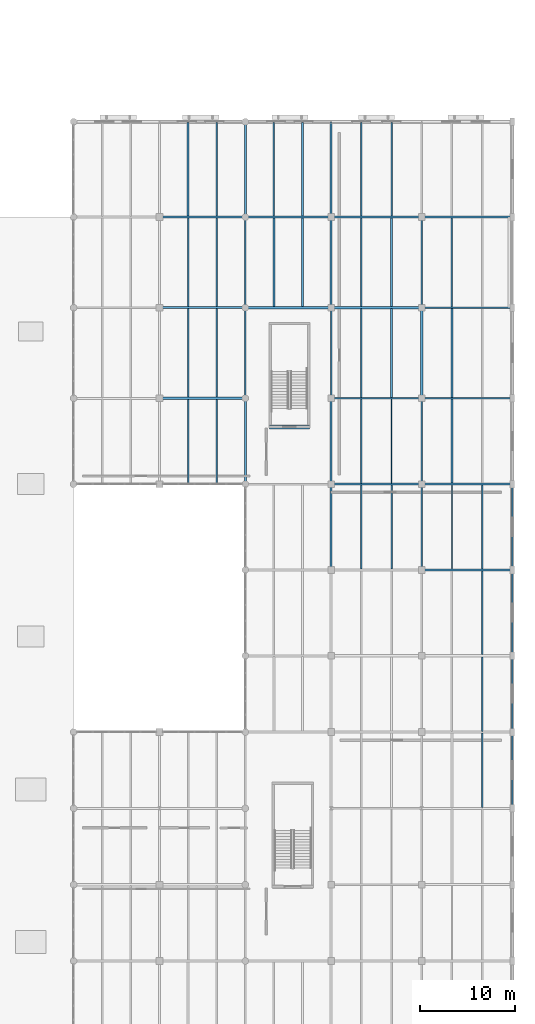
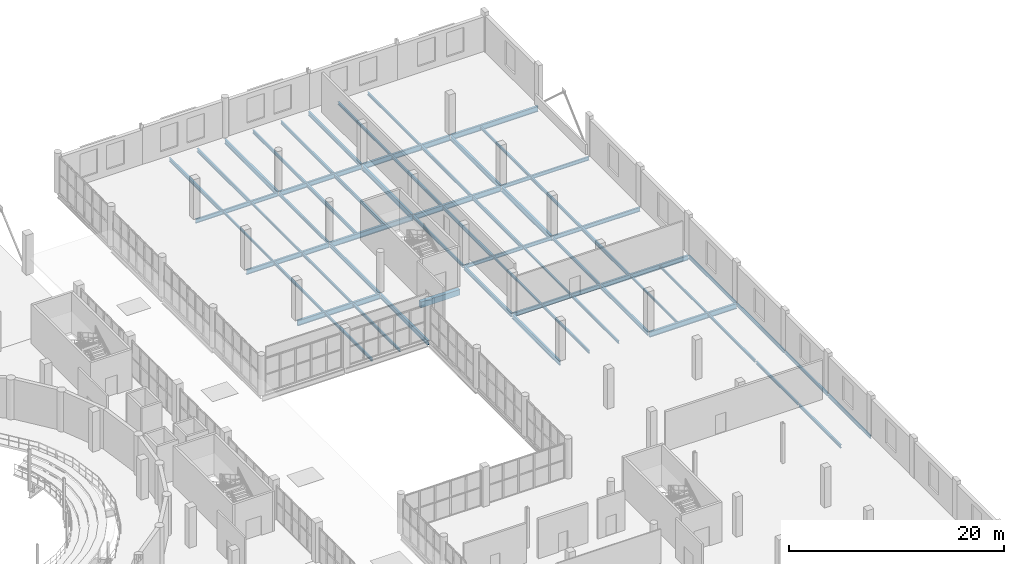
# One storey, part 54 of 93: 62 beams.
"""IFC4 building model written with IfcOpenShell, lengths in metres."""

import ifcopenshell
import ifcopenshell.guid

model = None  # the IFC model being written
_history = None  # IfcOwnerHistory: only IFC2X3 demands one
_inside = {}  # id of a spatial element -> (the spatial element, [elements in it])
_under = {}  # id of a project, library or spatial element -> (it, [spatial elements below it])
_declared = {}  # id of a project -> (the project, [libraries it declares])
_typed = {}  # id of a type object -> (the type object, [elements of that type])
_made_of = {}  # id of a material, layer set ... -> (it, [elements and type objects made of it])


def new_model(schema):
    """Start an empty IFC model of exactly this schema.

    Asked for "IFC4X3", IfcOpenShell would pick the latest addendum, in which some entities
    have other attributes; the version numbers below select the first issue.
    IFC2X3 requires an IfcOwnerHistory on every rooted entity: one is made here for all.
    """
    global model, _history
    if schema == "IFC4X3":
        model = ifcopenshell.file(schema_version=(4, 3, 0, 0))
    else:
        model = ifcopenshell.file(schema=schema)
    _inside.clear()
    _under.clear()
    _declared.clear()
    _typed.clear()
    _made_of.clear()
    _history = None
    if model.schema == "IFC2X3":
        org = make("IfcOrganization", Name="unknown")
        user = make(
            "IfcPersonAndOrganization",
            ThePerson=make("IfcPerson", FamilyName="unknown"),
            TheOrganization=org,
        )
        app = make(
            "IfcApplication",
            ApplicationDeveloper=org,
            Version="unknown",
            ApplicationFullName="unknown",
            ApplicationIdentifier="unknown",
        )
        _history = make(
            "IfcOwnerHistory",
            OwningUser=user,
            OwningApplication=app,
            ChangeAction="ADDED",
            CreationDate=0,
        )
    return model


def make(cls, **values):
    """One entity of the class cls with the attributes given. An attribute that is None is left unset."""
    return model.create_entity(
        cls, **{name: value for name, value in values.items() if value is not None}
    )


def rooted(cls, **values):
    """An entity with a GlobalId (a new one), such as an element, a storey or a relation."""
    return make(cls, GlobalId=ifcopenshell.guid.new(), OwnerHistory=_history, **values)


def si_unit(unit_type, name, prefix=None):
    """IfcSIUnit, for example si_unit("LENGTHUNIT", "METRE", prefix="MILLI")."""
    return make("IfcSIUnit", UnitType=unit_type, Prefix=prefix, Name=name)


def assignment(units):
    """IfcUnitAssignment: the units of a project."""
    return None if units is None else make("IfcUnitAssignment", Units=units)


def point(xyz):
    """IfcCartesianPoint."""
    return None if xyz is None else make("IfcCartesianPoint", Coordinates=xyz)


def direction(xyz):
    """IfcDirection."""
    return None if xyz is None else make("IfcDirection", DirectionRatios=xyz)


def frame(location, z_axis=None, x_axis=None):
    """IfcAxis2Placement3D, a coordinate frame: its origin and axes. An axis left out is left unset."""
    return make(
        "IfcAxis2Placement3D",
        Location=point(location),
        Axis=direction(z_axis),
        RefDirection=direction(x_axis),
    )


def frame_2d(location, x_axis=None):
    """IfcAxis2Placement2D, a coordinate frame in the plane: its origin and x axis."""
    return make(
        "IfcAxis2Placement2D", Location=point(location), RefDirection=direction(x_axis)
    )


def origin():
    """The frame at (0, 0, 0) with its axes left unset."""
    return frame((0.0, 0.0, 0.0))


def origin_2d():
    """The frame at (0, 0) in the plane with its x axis left unset."""
    return frame_2d((0.0, 0.0))


def place(relative_to, where):
    """IfcLocalPlacement: puts the frame where relative to a parent placement (None: the world)."""
    return make(
        "IfcLocalPlacement", PlacementRelTo=relative_to, RelativePlacement=where
    )


def context(
    kind, dimensions, precision=None, world=None, true_north=None, identifier=None
):
    """IfcGeometricRepresentationContext, for example the 3D "Model" context."""
    return make(
        "IfcGeometricRepresentationContext",
        ContextIdentifier=identifier,
        ContextType=kind,
        CoordinateSpaceDimension=dimensions,
        Precision=precision,
        WorldCoordinateSystem=world,
        TrueNorth=true_north,
    )


def subcontext(parent, identifier, kind, view, scale=None):
    """IfcGeometricRepresentationSubContext, for example "Body" below "Model"."""
    return make(
        "IfcGeometricRepresentationSubContext",
        ContextIdentifier=identifier,
        ContextType=kind,
        ParentContext=parent,
        TargetScale=scale,
        TargetView=view,
    )


def project(units=None, contexts=None):
    """IfcProject with its units and contexts."""
    return rooted(
        "IfcProject",
        Name="project",
        RepresentationContexts=contexts,
        UnitsInContext=assignment(units),
    )


def spatial(cls, under=None, at=None, **own):
    """A site, building, storey or space (cls), placed at a placement, below another one or the project."""
    s = rooted(cls, ObjectPlacement=at, **own)
    if under is not None:
        _under.setdefault(under.id(), (under, []))[1].append(s)
    return s


def profile(cls, at=None, kind="AREA", **sizes):
    """A parametric profile (cls). Its sizes go by their IFC names, for example OverallWidth=200.0."""
    return make(cls, ProfileType=kind, Position=at, **sizes)


def rectangle(**sizes):
    """IfcRectangleProfileDef."""
    return profile("IfcRectangleProfileDef", **sizes)


def i_section(**sizes):
    """IfcIShapeProfileDef."""
    return profile("IfcIShapeProfileDef", **sizes)


def extrude(swept, where, along, depth):
    """IfcExtrudedAreaSolid: the profile swept, set in the frame where, extruded along a direction by depth."""
    return make(
        "IfcExtrudedAreaSolid",
        SweptArea=swept,
        Position=where,
        ExtrudedDirection=direction(along),
        Depth=depth,
    )


def shape(context_of_items, identifier, shape_type, items):
    """IfcShapeRepresentation: the items that make up one representation, for example the "Body"."""
    return make(
        "IfcShapeRepresentation",
        ContextOfItems=context_of_items,
        RepresentationIdentifier=identifier,
        RepresentationType=shape_type,
        Items=items,
    )


def material(Name=None, Category=None):
    """IfcMaterial."""
    return make("IfcMaterial", Name=Name, Category=Category)


def material_profile(
    of_material, cross_section, Name=None, Category=None, Priority=None
):
    """IfcMaterialProfile: a cross section and its material."""
    return make(
        "IfcMaterialProfile",
        Name=Name,
        Material=of_material,
        Profile=cross_section,
        Priority=Priority,
        Category=Category,
    )


def profile_set(profiles, Name=None, composite=None):
    """IfcMaterialProfileSet."""
    return make(
        "IfcMaterialProfileSet",
        Name=Name,
        MaterialProfiles=profiles,
        CompositeProfile=composite,
    )


def made_of(thing, what):
    """Note that an element or type object is made of a material, layer set ...; save() writes the relation."""
    if what is not None:
        _made_of.setdefault(what.id(), (what, []))[1].append(thing)
    return thing


def type_object(cls, material=None, **own):
    """A type object (cls), such as IfcWallType, which elements share."""
    return made_of(rooted(cls, **own), material)


def element(
    cls,
    number,
    at=None,
    inside=None,
    cuts=None,
    type_object=None,
    material=None,
    context=None,
    identifier="Body",
    shape_type=None,
    held_by="IfcProductDefinitionShape",
    body=None,
    shapes=None,
    **own,
):
    """One element of the class cls, such as IfcWall. Its Tag is "e" and its number.

    at: its placement. inside: the storey or other place that contains it. cuts: it is an
    opening in that element (IfcRelVoidsElement). A single representation is given by context,
    identifier, shape_type and body (its items); several are given by shapes. held_by: the class
    of the entity that holds the representations. save() writes the other relations.
    """
    e = rooted(cls, Tag="e%d" % number, ObjectPlacement=at, **own)
    if body is not None:
        shapes = [shape(context, identifier, shape_type, body)]
    if shapes is not None:
        e.Representation = make(held_by, Representations=shapes)
    if inside is not None:
        _inside.setdefault(inside.id(), (inside, []))[1].append(e)
    if cuts is not None:
        rooted(
            "IfcRelVoidsElement", RelatingBuildingElement=cuts, RelatedOpeningElement=e
        )
    if type_object is not None:
        _typed.setdefault(type_object.id(), (type_object, []))[1].append(e)
    return made_of(e, material)


def aggregate(whole, parts):
    """IfcRelAggregates: a whole, such as a stair, and the parts it consists of."""
    return rooted("IfcRelAggregates", RelatingObject=whole, RelatedObjects=parts)


def save(model, path):
    """Write the relations noted so far, then the file.

    IfcRelAggregates (storeys below a building ...), IfcRelContainedInSpatialStructure (elements
    in a storey), IfcRelDefinesByType, IfcRelAssociatesMaterial and IfcRelDeclares: one each for
    every whole, place, type object, material and project.
    """
    for whole, parts in _under.values():
        aggregate(whole, parts)
    for where, things in _inside.values():
        rooted(
            "IfcRelContainedInSpatialStructure",
            RelatedElements=things,
            RelatingStructure=where,
        )
    for kind, things in _typed.values():
        rooted("IfcRelDefinesByType", RelatedObjects=things, RelatingType=kind)
    for what, things in _made_of.values():
        rooted("IfcRelAssociatesMaterial", RelatedObjects=things, RelatingMaterial=what)
    for by, libraries in _declared.values():
        rooted("IfcRelDeclares", RelatingContext=by, RelatedDefinitions=libraries)
    model.write(path)


model = new_model("IFC4")

# Units and contexts
model_context = context("Model", 3, precision=1e-05, world=origin(), true_north=direction((0.0, 1.0)))
body_context = subcontext(model_context, "Body", "Model", "MODEL_VIEW")
ifc_project = project(units=[si_unit("LENGTHUNIT", "METRE"), si_unit("AREAUNIT", "SQUARE_METRE"), si_unit("VOLUMEUNIT", "CUBIC_METRE"), si_unit("PLANEANGLEUNIT", "RADIAN"), si_unit("MASSUNIT", "GRAM", prefix="KILO")], contexts=[model_context])

# Site, building, storey
site_placement = place(None, origin())
site = spatial("IfcSite", under=ifc_project, at=site_placement, CompositionType="ELEMENT")
building_placement = place(site_placement, origin())
building = spatial("IfcBuilding", under=site, at=building_placement, Name="Marnock Terrace Opera House", CompositionType="ELEMENT")
storey_placement = place(building_placement, frame((0.0, 0.0, 5.39990234375)))
storey = spatial("IfcBuildingStorey", under=building, at=storey_placement, Name="L01", CompositionType="ELEMENT", Elevation=5.39990234375)

# Beams
ifc_material_1 = material(Name="Steel Grade 350 (AS/NZS 3679.1)", Category="steel")
ifc_material_profile_1 = material_profile(ifc_material_1, i_section(OverallWidth=0.1708984375, OverallDepth=0.355712890625, WebThickness=0.00732421875, FlangeThickness=0.011474609375, FilletRadius=0.011474609375, at=origin_2d()))
ifc_profile_set_1 = profile_set([ifc_material_profile_1], Name="Steel Grade 350 (AS/NZS 3679.1)")
beam_type_1 = type_object("IfcBeamType", Name="BM-GIRD-360", PredefinedType="BEAM", material=ifc_profile_set_1)
for number, where, z_axis, x_axis, name in (
    (1, (136.0, 84.550048828125, -0.457763671875), (0.0, 1.0, 0.0), (-1.0, 0.0, 0.0), "L01 girder (X=136.0, 84.5..94.0)"),
    (2, (145.0, 75.050048828125, -0.457763671875), (0.0, 1.0, 0.0), (-1.0, 0.0, 0.0), "L01 girder (X=145.0, 75.0..84.5)"),
):
    element("IfcBeam", number, at=place(storey_placement, frame(where, z_axis=z_axis, x_axis=x_axis)), inside=storey, type_object=beam_type_1, Name=name, PredefinedType="BEAM", context=body_context, shape_type="SweptSolid", body=[
        extrude(i_section(OverallWidth=0.1708984375, OverallDepth=0.355712890625, WebThickness=0.00732421875, FlangeThickness=0.011474609375, FilletRadius=0.011474609375, at=origin_2d()), origin(), (0.0, 0.0, 1.0), 9.39990234375),
    ])
beam_1_placement = place(storey_placement, frame((154.5, 66.050048828125, -0.457763671875), z_axis=(0.0, 1.0, 0.0), x_axis=(-1.0, 0.0, 0.0)))
element("IfcBeam", 3, at=beam_1_placement, inside=storey, type_object=beam_type_1, Name="L01 girder (X=154.5, 66.0..75.0)", PredefinedType="BEAM", context=body_context, shape_type="SweptSolid", body=[
    extrude(i_section(OverallWidth=0.1708984375, OverallDepth=0.355712890625, WebThickness=0.00732421875, FlangeThickness=0.011474609375, FilletRadius=0.011474609375, at=origin_2d()), origin(), (0.0, 0.0, 1.0), 8.89990234375),
])
ifc_material_profile_2 = material_profile(ifc_material_1, i_section(OverallWidth=0.177978515625, OverallDepth=0.402587890625, WebThickness=0.007568359375, FlangeThickness=0.010986328125, FilletRadius=0.011474609375, at=origin_2d()))
ifc_profile_set_2 = profile_set([ifc_material_profile_2], Name="Steel Grade 350 (AS/NZS 3679.1)")
beam_type_2 = type_object("IfcBeamType", Name="BM-GIRD-410", PredefinedType="BEAM", material=ifc_profile_set_2)
for number, where, z_axis, x_axis, name in (
    (4, (145.050048828125, 75.0, -0.481201171875), (1.0, 0.0, 0.0), (0.0, 1.0, 0.0), "L01 girder (145.0..154.5, Y=75.0)"),
    (5, (154.550048828125, 84.5, -0.481201171875), (1.0, 0.0, 0.0), (0.0, 1.0, 0.0), "L01 girder (154.5..164.0, Y=84.5)"),
):
    element("IfcBeam", number, at=place(storey_placement, frame(where, z_axis=z_axis, x_axis=x_axis)), inside=storey, type_object=beam_type_2, Name=name, PredefinedType="BEAM", context=body_context, shape_type="SweptSolid", body=[
        extrude(i_section(OverallWidth=0.177978515625, OverallDepth=0.402587890625, WebThickness=0.007568359375, FlangeThickness=0.010986328125, FilletRadius=0.011474609375, at=origin_2d()), origin(), (0.0, 0.0, 1.0), 9.39990234375),
    ])
ifc_material_profile_3 = material_profile(ifc_material_1, i_section(OverallWidth=0.19091796875, OverallDepth=0.46044921875, WebThickness=0.010009765625, FlangeThickness=0.01611328125, FilletRadius=0.011474609375, at=origin_2d()))
ifc_profile_set_3 = profile_set([ifc_material_profile_3], Name="Steel Grade 350 (AS/NZS 3679.1)")
beam_type_3 = type_object("IfcBeamType", Name="BM-GIRD-460A", PredefinedType="BEAM", material=ifc_profile_set_3)
for number, where, z_axis, x_axis, name in (
    (6, (145.050048828125, 66.0, -0.510009765625), (1.0, 0.0, 0.0), (0.0, 1.0, 0.0), "L01 girder (145.0..154.5, Y=66.0)"),
    (7, (154.550048828125, 75.0, -0.510009765625), (1.0, 0.0, 0.0), (0.0, 1.0, 0.0), "L01 girder (154.5..164.0, Y=75.0)"),
):
    element("IfcBeam", number, at=place(storey_placement, frame(where, z_axis=z_axis, x_axis=x_axis)), inside=storey, type_object=beam_type_3, Name=name, PredefinedType="BEAM", context=body_context, shape_type="SweptSolid", body=[
        extrude(i_section(OverallWidth=0.19091796875, OverallDepth=0.46044921875, WebThickness=0.010009765625, FlangeThickness=0.01611328125, FilletRadius=0.011474609375, at=origin_2d()), origin(), (0.0, 0.0, 1.0), 9.39990234375),
    ])
beam_2_placement = place(storey_placement, frame((127.050048828125, 94.0, -0.510009765625), z_axis=(1.0, 0.0, 0.0), x_axis=(0.0, 1.0, 0.0)))
element("IfcBeam", 8, at=beam_2_placement, inside=storey, type_object=beam_type_3, Name="L01 girder (127.0..136.0, Y=94.0)", PredefinedType="BEAM", context=body_context, shape_type="SweptSolid", body=[
    extrude(i_section(OverallWidth=0.19091796875, OverallDepth=0.46044921875, WebThickness=0.010009765625, FlangeThickness=0.01611328125, FilletRadius=0.011474609375, at=origin_2d()), origin(), (0.0, 0.0, 1.0), 8.89990234375),
])
ifc_material_profile_4 = material_profile(ifc_material_1, i_section(OverallWidth=0.18994140625, OverallDepth=0.45751953125, WebThickness=0.009033203125, FlangeThickness=0.014404296875, FilletRadius=0.011474609375, at=origin_2d()))
ifc_profile_set_4 = profile_set([ifc_material_profile_4], Name="Steel Grade 350 (AS/NZS 3679.1)")
beam_type_4 = type_object("IfcBeamType", Name="BM-GIRD-460B", PredefinedType="BEAM", material=ifc_profile_set_4)
beam_3_placement = place(storey_placement, frame((136.0, 75.050048828125, -0.508544921875), z_axis=(0.0, 1.0, 0.0), x_axis=(-1.0, 0.0, 0.0)))
element("IfcBeam", 9, at=beam_3_placement, inside=storey, type_object=beam_type_4, Name="L01 girder (X=136.0, 75.0..84.5)", PredefinedType="BEAM", context=body_context, shape_type="SweptSolid", body=[
    extrude(i_section(OverallWidth=0.18994140625, OverallDepth=0.45751953125, WebThickness=0.009033203125, FlangeThickness=0.014404296875, FilletRadius=0.011474609375, at=origin_2d()), origin(), (0.0, 0.0, 1.0), 9.39990234375),
])
beam_4_placement = place(storey_placement, frame((145.0, 66.050048828125, -0.508544921875), z_axis=(0.0, 1.0, 0.0), x_axis=(-1.0, 0.0, 0.0)))
element("IfcBeam", 10, at=beam_4_placement, inside=storey, type_object=beam_type_4, Name="L01 girder (X=145.0, 66.0..75.0)", PredefinedType="BEAM", context=body_context, shape_type="SweptSolid", body=[
    extrude(i_section(OverallWidth=0.18994140625, OverallDepth=0.45751953125, WebThickness=0.009033203125, FlangeThickness=0.014404296875, FilletRadius=0.011474609375, at=origin_2d()), origin(), (0.0, 0.0, 1.0), 8.89990234375),
])
beam_5_placement = place(storey_placement, frame((145.0, 94.050048828125, -0.508544921875), z_axis=(0.0, 1.0, 0.0), x_axis=(-1.0, 0.0, 0.0)))
element("IfcBeam", 11, at=beam_5_placement, inside=storey, type_object=beam_type_4, Name="L01 girder (X=145.0, 94.0..104.0)", PredefinedType="BEAM", context=body_context, shape_type="SweptSolid", body=[
    extrude(i_section(OverallWidth=0.18994140625, OverallDepth=0.45751953125, WebThickness=0.009033203125, FlangeThickness=0.014404296875, FilletRadius=0.011474609375, at=origin_2d()), origin(), (0.0, 0.0, 1.0), 9.89990234375),
])
beam_6_placement = place(storey_placement, frame((154.5, 57.050048828125, -0.508544921875), z_axis=(0.0, 1.0, 0.0), x_axis=(-1.0, 0.0, 0.0)))
element("IfcBeam", 12, at=beam_6_placement, inside=storey, type_object=beam_type_4, Name="L01 girder (X=154.5, 57.0..66.0)", PredefinedType="BEAM", context=body_context, shape_type="SweptSolid", body=[
    extrude(i_section(OverallWidth=0.18994140625, OverallDepth=0.45751953125, WebThickness=0.009033203125, FlangeThickness=0.014404296875, FilletRadius=0.011474609375, at=origin_2d()), origin(), (0.0, 0.0, 1.0), 8.89990234375),
])
ifc_material_profile_5 = material_profile(ifc_material_1, i_section(OverallWidth=0.208984375, OverallDepth=0.532958984375, WebThickness=0.01025390625, FlangeThickness=0.015625, FilletRadius=0.013916015625, at=origin_2d()))
ifc_profile_set_5 = profile_set([ifc_material_profile_5], Name="Steel Grade 350 (AS/NZS 3679.1)")
beam_type_5 = type_object("IfcBeamType", Name="BM-GIRD-530A", PredefinedType="BEAM", material=ifc_profile_set_5)
beam_7_placement = place(storey_placement, frame((154.550048828125, 66.0, -0.54638671875), z_axis=(1.0, 0.0, 0.0), x_axis=(0.0, 1.0, 0.0)))
element("IfcBeam", 13, at=beam_7_placement, inside=storey, type_object=beam_type_5, Name="L01 girder (154.5..164.0, Y=66.0)", PredefinedType="BEAM", context=body_context, shape_type="SweptSolid", body=[
    extrude(i_section(OverallWidth=0.208984375, OverallDepth=0.532958984375, WebThickness=0.01025390625, FlangeThickness=0.015625, FilletRadius=0.013916015625, at=origin_2d()), origin(), (0.0, 0.0, 1.0), 9.39990234375),
])
for number, where, z_axis, x_axis, name in (
    (14, (127.050048828125, 84.5, -0.54638671875), (1.0, 0.0, 0.0), (0.0, 1.0, 0.0), "L01 girder (127.0..136.0, Y=84.5)"),
    (15, (136.050048828125, 94.0, -0.54638671875), (1.0, 0.0, 0.0), (0.0, 1.0, 0.0), "L01 girder (136.0..145.0, Y=94.0)"),
):
    element("IfcBeam", number, at=place(storey_placement, frame(where, z_axis=z_axis, x_axis=x_axis)), inside=storey, type_object=beam_type_5, Name=name, PredefinedType="BEAM", context=body_context, shape_type="SweptSolid", body=[
        extrude(i_section(OverallWidth=0.208984375, OverallDepth=0.532958984375, WebThickness=0.01025390625, FlangeThickness=0.015625, FilletRadius=0.013916015625, at=origin_2d()), origin(), (0.0, 0.0, 1.0), 8.89990234375),
    ])
ifc_material_profile_6 = material_profile(ifc_material_1, i_section(OverallWidth=0.208984375, OverallDepth=0.528076171875, WebThickness=0.009521484375, FlangeThickness=0.01318359375, FilletRadius=0.013916015625, at=origin_2d()))
ifc_profile_set_6 = profile_set([ifc_material_profile_6], Name="Steel Grade 350 (AS/NZS 3679.1)")
beam_type_6 = type_object("IfcBeamType", Name="BM-GIRD-530B", PredefinedType="BEAM", material=ifc_profile_set_6)
beam_8_placement = place(storey_placement, frame((136.0, 66.050048828125, -0.5439453125), z_axis=(0.0, 1.0, 0.0), x_axis=(-1.0, 0.0, 0.0)))
element("IfcBeam", 16, at=beam_8_placement, inside=storey, type_object=beam_type_6, Name="L01 girder (X=136.0, 66.0..75.0)", PredefinedType="BEAM", context=body_context, shape_type="SweptSolid", body=[
    extrude(i_section(OverallWidth=0.208984375, OverallDepth=0.528076171875, WebThickness=0.009521484375, FlangeThickness=0.01318359375, FilletRadius=0.013916015625, at=origin_2d()), origin(), (0.0, 0.0, 1.0), 8.89990234375),
])
beam_9_placement = place(storey_placement, frame((136.0, 94.050048828125, -0.5439453125), z_axis=(0.0, 1.0, 0.0), x_axis=(-1.0, 0.0, 0.0)))
element("IfcBeam", 17, at=beam_9_placement, inside=storey, type_object=beam_type_6, Name="L01 girder (X=136.0, 94.0..104.0)", PredefinedType="BEAM", context=body_context, shape_type="SweptSolid", body=[
    extrude(i_section(OverallWidth=0.208984375, OverallDepth=0.528076171875, WebThickness=0.009521484375, FlangeThickness=0.01318359375, FilletRadius=0.013916015625, at=origin_2d()), origin(), (0.0, 0.0, 1.0), 9.89990234375),
])
beam_10_placement = place(storey_placement, frame((145.0, 57.050048828125, -0.5439453125), z_axis=(0.0, 1.0, 0.0), x_axis=(-1.0, 0.0, 0.0)))
element("IfcBeam", 18, at=beam_10_placement, inside=storey, type_object=beam_type_6, Name="L01 girder (X=145.0, 57.0..66.0)", PredefinedType="BEAM", context=body_context, shape_type="SweptSolid", body=[
    extrude(i_section(OverallWidth=0.208984375, OverallDepth=0.528076171875, WebThickness=0.009521484375, FlangeThickness=0.01318359375, FilletRadius=0.013916015625, at=origin_2d()), origin(), (0.0, 0.0, 1.0), 8.89990234375),
])
beam_11_placement = place(storey_placement, frame((154.5, 84.550048828125, -0.5439453125), z_axis=(0.0, 1.0, 0.0), x_axis=(-1.0, 0.0, 0.0)))
element("IfcBeam", 19, at=beam_11_placement, inside=storey, type_object=beam_type_6, Name="L01 girder (X=154.5, 84.5..94.0)", PredefinedType="BEAM", context=body_context, shape_type="SweptSolid", body=[
    extrude(i_section(OverallWidth=0.208984375, OverallDepth=0.528076171875, WebThickness=0.009521484375, FlangeThickness=0.01318359375, FilletRadius=0.013916015625, at=origin_2d()), origin(), (0.0, 0.0, 1.0), 9.39990234375),
])
ifc_material_profile_7 = material_profile(ifc_material_1, i_section(OverallWidth=0.22900390625, OverallDepth=0.611572265625, WebThickness=0.011962890625, FlangeThickness=0.01953125, FilletRadius=0.013916015625, at=origin_2d()))
ifc_profile_set_7 = profile_set([ifc_material_profile_7], Name="Steel Grade 350 (AS/NZS 3679.1)")
beam_type_7 = type_object("IfcBeamType", Name="BM-GIRD-610A", PredefinedType="BEAM", material=ifc_profile_set_7)
for number, where, z_axis, x_axis, name in (
    (20, (145.050048828125, 84.5, -0.585693359375), (1.0, 0.0, 0.0), (0.0, 1.0, 0.0), "L01 girder (145.0..154.5, Y=84.5)"),
    (21, (154.550048828125, 94.0, -0.585693359375), (1.0, 0.0, 0.0), (0.0, 1.0, 0.0), "L01 girder (154.5..164.0, Y=94.0)"),
):
    element("IfcBeam", number, at=place(storey_placement, frame(where, z_axis=z_axis, x_axis=x_axis)), inside=storey, type_object=beam_type_7, Name=name, PredefinedType="BEAM", context=body_context, shape_type="SweptSolid", body=[
        extrude(i_section(OverallWidth=0.22900390625, OverallDepth=0.611572265625, WebThickness=0.011962890625, FlangeThickness=0.01953125, FilletRadius=0.013916015625, at=origin_2d()), origin(), (0.0, 0.0, 1.0), 9.39990234375),
    ])
ifc_material_profile_8 = material_profile(ifc_material_1, i_section(OverallWidth=0.22802734375, OverallDepth=0.60693359375, WebThickness=0.01123046875, FlangeThickness=0.017333984375, FilletRadius=0.013916015625, at=origin_2d()))
ifc_profile_set_8 = profile_set([ifc_material_profile_8], Name="Steel Grade 350 (AS/NZS 3679.1)")
beam_type_8 = type_object("IfcBeamType", Name="BM-GIRD-610B", PredefinedType="BEAM", material=ifc_profile_set_8)
beam_12_placement = place(storey_placement, frame((154.550048828125, 57.0, -0.58349609375), z_axis=(1.0, 0.0, 0.0), x_axis=(0.0, 1.0, 0.0)))
element("IfcBeam", 22, at=beam_12_placement, inside=storey, type_object=beam_type_8, Name="L01 girder (154.5..164.0, Y=57.0)", PredefinedType="BEAM", context=body_context, shape_type="SweptSolid", body=[
    extrude(i_section(OverallWidth=0.22802734375, OverallDepth=0.60693359375, WebThickness=0.01123046875, FlangeThickness=0.017333984375, FilletRadius=0.013916015625, at=origin_2d()), origin(), (0.0, 0.0, 1.0), 9.39990234375),
])
for number, where, z_axis, x_axis, name in (
    (23, (127.050048828125, 75.0, -0.58349609375), (1.0, 0.0, 0.0), (0.0, 1.0, 0.0), "L01 girder (127.0..136.0, Y=75.0)"),
    (24, (136.050048828125, 84.5, -0.58349609375), (1.0, 0.0, 0.0), (0.0, 1.0, 0.0), "L01 girder (136.0..145.0, Y=84.5)"),
):
    element("IfcBeam", number, at=place(storey_placement, frame(where, z_axis=z_axis, x_axis=x_axis)), inside=storey, type_object=beam_type_8, Name=name, PredefinedType="BEAM", context=body_context, shape_type="SweptSolid", body=[
        extrude(i_section(OverallWidth=0.22802734375, OverallDepth=0.60693359375, WebThickness=0.01123046875, FlangeThickness=0.017333984375, FilletRadius=0.013916015625, at=origin_2d()), origin(), (0.0, 0.0, 1.0), 8.89990234375),
    ])
beam_13_placement = place(storey_placement, frame((145.050048828125, 94.0, -0.58349609375), z_axis=(1.0, 0.0, 0.0), x_axis=(0.0, 1.0, 0.0)))
element("IfcBeam", 25, at=beam_13_placement, inside=storey, type_object=beam_type_8, Name="L01 girder (145.0..154.5, Y=94.0)", PredefinedType="BEAM", context=body_context, shape_type="SweptSolid", body=[
    extrude(i_section(OverallWidth=0.22802734375, OverallDepth=0.60693359375, WebThickness=0.01123046875, FlangeThickness=0.017333984375, FilletRadius=0.013916015625, at=origin_2d()), origin(), (0.0, 0.0, 1.0), 9.39990234375),
])
ifc_material_profile_9 = material_profile(ifc_material_1, i_section(OverallWidth=0.22802734375, OverallDepth=0.60205078125, WebThickness=0.010498046875, FlangeThickness=0.014892578125, FilletRadius=0.013916015625, at=origin_2d()))
ifc_profile_set_9 = profile_set([ifc_material_profile_9], Name="Steel Grade 350 (AS/NZS 3679.1)")
beam_type_9 = type_object("IfcBeamType", Name="BM-GIRD-610C", PredefinedType="BEAM", material=ifc_profile_set_9)
for number, where, z_axis, x_axis, name in (
    (26, (145.0, 84.550048828125, -0.580810546875), (0.0, 1.0, 0.0), (-1.0, 0.0, 0.0), "L01 girder (X=145.0, 84.5..94.0)"),
    (27, (154.5, 75.050048828125, -0.580810546875), (0.0, 1.0, 0.0), (-1.0, 0.0, 0.0), "L01 girder (X=154.5, 75.0..84.5)"),
):
    element("IfcBeam", number, at=place(storey_placement, frame(where, z_axis=z_axis, x_axis=x_axis)), inside=storey, type_object=beam_type_9, Name=name, PredefinedType="BEAM", context=body_context, shape_type="SweptSolid", body=[
        extrude(i_section(OverallWidth=0.22802734375, OverallDepth=0.60205078125, WebThickness=0.010498046875, FlangeThickness=0.014892578125, FilletRadius=0.013916015625, at=origin_2d()), origin(), (0.0, 0.0, 1.0), 9.39990234375),
    ])
ifc_material_profile_10 = material_profile(ifc_material_1, i_section(OverallWidth=0.14599609375, OverallDepth=0.256103515625, WebThickness=0.00634765625, FlangeThickness=0.010986328125, FilletRadius=0.0087890625, at=origin_2d()))
ifc_profile_set_10 = profile_set([ifc_material_profile_10], Name="Steel Grade 350 (AS/NZS 3679.1)")
beam_type_10 = type_object("IfcBeamType", Name="BM-JOIST-250", PredefinedType="JOIST", material=ifc_profile_set_10)
for number, where, z_axis, x_axis, name in (
    (28, (130.0, 84.599609375, -0.407958984375), (0.0, 1.0, 0.0), (-1.0, 0.0, 0.0), "L01 secondary joist 14.10.1"),
    (29, (133.0, 84.599609375, -0.407958984375), (0.0, 1.0, 0.0), (-1.0, 0.0, 0.0), "L01 secondary joist 14.10.2"),
):
    element("IfcBeam", number, at=place(storey_placement, frame(where, z_axis=z_axis, x_axis=x_axis)), inside=storey, type_object=beam_type_10, Name=name, PredefinedType="JOIST", context=body_context, shape_type="SweptSolid", body=[
        extrude(i_section(OverallWidth=0.14599609375, OverallDepth=0.256103515625, WebThickness=0.00634765625, FlangeThickness=0.010986328125, FilletRadius=0.0087890625, at=origin_2d()), origin(), (0.0, 0.0, 1.0), 9.309814453125),
    ])
for number, where, z_axis, x_axis, name in (
    (30, (148.166748046875, 66.090576171875, -0.407958984375), (0.0, 1.0, 0.0), (-1.0, 0.0, 0.0), "L01 secondary joist 16.8.1"),
    (31, (151.333251953125, 66.090576171875, -0.407958984375), (0.0, 1.0, 0.0), (-1.0, 0.0, 0.0), "L01 secondary joist 16.8.2"),
):
    element("IfcBeam", number, at=place(storey_placement, frame(where, z_axis=z_axis, x_axis=x_axis)), inside=storey, type_object=beam_type_10, Name=name, PredefinedType="JOIST", context=body_context, shape_type="SweptSolid", body=[
        extrude(i_section(OverallWidth=0.14599609375, OverallDepth=0.256103515625, WebThickness=0.00634765625, FlangeThickness=0.010986328125, FilletRadius=0.0087890625, at=origin_2d()), origin(), (0.0, 0.0, 1.0), 8.825439453125),
    ])
for number, where, z_axis, x_axis, name in (
    (32, (157.666748046875, 57.10888671875, -0.407958984375), (0.0, 1.0, 0.0), (-1.0, 0.0, 0.0), "L01 secondary joist 17.7.1"),
    (33, (160.833251953125, 57.10888671875, -0.407958984375), (0.0, 1.0, 0.0), (-1.0, 0.0, 0.0), "L01 secondary joist 17.7.2"),
):
    element("IfcBeam", number, at=place(storey_placement, frame(where, z_axis=z_axis, x_axis=x_axis)), inside=storey, type_object=beam_type_10, Name=name, PredefinedType="JOIST", context=body_context, shape_type="SweptSolid", body=[
        extrude(i_section(OverallWidth=0.14599609375, OverallDepth=0.256103515625, WebThickness=0.00634765625, FlangeThickness=0.010986328125, FilletRadius=0.0087890625, at=origin_2d()), origin(), (0.0, 0.0, 1.0), 8.79150390625),
    ])
ifc_material_profile_11 = material_profile(ifc_material_1, i_section(OverallWidth=0.166015625, OverallDepth=0.30712890625, WebThickness=0.006591796875, FlangeThickness=0.01171875, FilletRadius=0.011474609375, at=origin_2d()))
ifc_profile_set_11 = profile_set([ifc_material_profile_11], Name="Steel Grade 350 (AS/NZS 3679.1)")
beam_type_11 = type_object("IfcBeamType", Name="BM-JOIST-310A", PredefinedType="JOIST", material=ifc_profile_set_11)
for number, where, z_axis, x_axis, name in (
    (34, (130.0, 66.109619140625, -0.43359375), (0.0, 1.0, 0.0), (-1.0, 0.0, 0.0), "L01 secondary joist 14.8.1"),
    (35, (133.0, 66.109619140625, -0.43359375), (0.0, 1.0, 0.0), (-1.0, 0.0, 0.0), "L01 secondary joist 14.8.2"),
):
    element("IfcBeam", number, at=place(storey_placement, frame(where, z_axis=z_axis, x_axis=x_axis)), inside=storey, type_object=beam_type_11, Name=name, PredefinedType="JOIST", context=body_context, shape_type="SweptSolid", body=[
        extrude(i_section(OverallWidth=0.166015625, OverallDepth=0.30712890625, WebThickness=0.006591796875, FlangeThickness=0.01171875, FilletRadius=0.011474609375, at=origin_2d()), origin(), (0.0, 0.0, 1.0), 8.781494140625),
    ])
for number, where, z_axis, x_axis, name in (
    (36, (148.166748046875, 94.10888671875, -0.43359375), (0.0, 1.0, 0.0), (-1.0, 0.0, 0.0), "L01 secondary joist 16.11.1"),
    (37, (151.333251953125, 94.10888671875, -0.43359375), (0.0, 1.0, 0.0), (-1.0, 0.0, 0.0), "L01 secondary joist 16.11.2"),
):
    element("IfcBeam", number, at=place(storey_placement, frame(where, z_axis=z_axis, x_axis=x_axis)), inside=storey, type_object=beam_type_11, Name=name, PredefinedType="JOIST", context=body_context, shape_type="SweptSolid", body=[
        extrude(i_section(OverallWidth=0.166015625, OverallDepth=0.30712890625, WebThickness=0.006591796875, FlangeThickness=0.01171875, FilletRadius=0.011474609375, at=origin_2d()), origin(), (0.0, 0.0, 1.0), 9.79150390625),
    ])
beam_14_placement = place(storey_placement, frame((160.833251953125, 40.083984375, -0.43359375), z_axis=(0.0, 1.0, 0.0), x_axis=(-1.0, 0.0, 0.0)))
element("IfcBeam", 38, at=beam_14_placement, inside=storey, type_object=beam_type_11, Name="L01 secondary joist 17.5.2", PredefinedType="JOIST", context=body_context, shape_type="SweptSolid", body=[
    extrude(i_section(OverallWidth=0.166015625, OverallDepth=0.30712890625, WebThickness=0.006591796875, FlangeThickness=0.01171875, FilletRadius=0.011474609375, at=origin_2d()), origin(), (0.0, 0.0, 1.0), 7.806396484375),
])
beam_15_placement = place(storey_placement, frame((157.666748046875, 84.583984375, -0.43359375), z_axis=(0.0, 1.0, 0.0), x_axis=(-1.0, 0.0, 0.0)))
element("IfcBeam", 39, at=beam_15_placement, inside=storey, type_object=beam_type_11, Name="L01 secondary joist 17.10.1", PredefinedType="JOIST", context=body_context, shape_type="SweptSolid", body=[
    extrude(i_section(OverallWidth=0.166015625, OverallDepth=0.30712890625, WebThickness=0.006591796875, FlangeThickness=0.01171875, FilletRadius=0.011474609375, at=origin_2d()), origin(), (0.0, 0.0, 1.0), 9.306396484375),
])
ifc_material_profile_12 = material_profile(ifc_material_1, i_section(OverallWidth=0.1650390625, OverallDepth=0.3037109375, WebThickness=0.006103515625, FlangeThickness=0.01025390625, FilletRadius=0.011474609375, at=origin_2d()))
ifc_profile_set_12 = profile_set([ifc_material_profile_12], Name="Steel Grade 350 (AS/NZS 3679.1)")
beam_type_12 = type_object("IfcBeamType", Name="BM-JOIST-310B", PredefinedType="JOIST", material=ifc_profile_set_12)
for number, where, z_axis, x_axis, name in (
    (40, (130.0, 75.10888671875, -0.431884765625), (0.0, 1.0, 0.0), (-1.0, 0.0, 0.0), "L01 secondary joist 14.9.1"),
    (41, (133.0, 75.10888671875, -0.431884765625), (0.0, 1.0, 0.0), (-1.0, 0.0, 0.0), "L01 secondary joist 14.9.2"),
):
    element("IfcBeam", number, at=place(storey_placement, frame(where, z_axis=z_axis, x_axis=x_axis)), inside=storey, type_object=beam_type_12, Name=name, PredefinedType="JOIST", context=body_context, shape_type="SweptSolid", body=[
        extrude(i_section(OverallWidth=0.1650390625, OverallDepth=0.3037109375, WebThickness=0.006103515625, FlangeThickness=0.01025390625, FilletRadius=0.011474609375, at=origin_2d()), origin(), (0.0, 0.0, 1.0), 9.29150390625),
    ])
for number, where, z_axis, x_axis, name in (
    (42, (148.166748046875, 57.099609375, -0.431884765625), (0.0, 1.0, 0.0), (-1.0, 0.0, 0.0), "L01 secondary joist 16.7.1"),
    (43, (151.333251953125, 57.099609375, -0.431884765625), (0.0, 1.0, 0.0), (-1.0, 0.0, 0.0), "L01 secondary joist 16.7.2"),
):
    element("IfcBeam", number, at=place(storey_placement, frame(where, z_axis=z_axis, x_axis=x_axis)), inside=storey, type_object=beam_type_12, Name=name, PredefinedType="JOIST", context=body_context, shape_type="SweptSolid", body=[
        extrude(i_section(OverallWidth=0.1650390625, OverallDepth=0.3037109375, WebThickness=0.006103515625, FlangeThickness=0.01025390625, FilletRadius=0.011474609375, at=origin_2d()), origin(), (0.0, 0.0, 1.0), 8.809814453125),
    ])
beam_16_placement = place(storey_placement, frame((160.833251953125, 48.109619140625, -0.431884765625), z_axis=(0.0, 1.0, 0.0), x_axis=(-1.0, 0.0, 0.0)))
element("IfcBeam", 44, at=beam_16_placement, inside=storey, type_object=beam_type_12, Name="L01 secondary joist 17.6.2", PredefinedType="JOIST", context=body_context, shape_type="SweptSolid", body=[
    extrude(i_section(OverallWidth=0.1650390625, OverallDepth=0.3037109375, WebThickness=0.006103515625, FlangeThickness=0.01025390625, FilletRadius=0.011474609375, at=origin_2d()), origin(), (0.0, 0.0, 1.0), 8.781494140625),
])
ifc_material_profile_13 = material_profile(ifc_material_1, i_section(OverallWidth=0.172119140625, OverallDepth=0.358642578125, WebThickness=0.008056640625, FlangeThickness=0.012939453125, FilletRadius=0.011474609375, at=origin_2d()))
ifc_profile_set_13 = profile_set([ifc_material_profile_13], Name="Steel Grade 350 (AS/NZS 3679.1)")
beam_type_13 = type_object("IfcBeamType", Name="BM-JOIST-360", PredefinedType="JOIST", material=ifc_profile_set_13)
for number, where, z_axis, x_axis, name in (
    (45, (139.0, 94.099609375, -0.459228515625), (0.0, 1.0, 0.0), (-1.0, 0.0, 0.0), "L01 secondary joist 15.11.1"),
    (46, (142.0, 94.099609375, -0.459228515625), (0.0, 1.0, 0.0), (-1.0, 0.0, 0.0), "L01 secondary joist 15.11.2"),
):
    element("IfcBeam", number, at=place(storey_placement, frame(where, z_axis=z_axis, x_axis=x_axis)), inside=storey, type_object=beam_type_13, Name=name, PredefinedType="JOIST", context=body_context, shape_type="SweptSolid", body=[
        extrude(i_section(OverallWidth=0.172119140625, OverallDepth=0.358642578125, WebThickness=0.008056640625, FlangeThickness=0.012939453125, FilletRadius=0.011474609375, at=origin_2d()), origin(), (0.0, 0.0, 1.0), 9.809814453125),
    ])
for number, where, z_axis, x_axis, name in (
    (47, (148.166748046875, 84.609619140625, -0.459228515625), (0.0, 1.0, 0.0), (-1.0, 0.0, 0.0), "L01 secondary joist 16.10.1"),
    (48, (151.333251953125, 84.609619140625, -0.459228515625), (0.0, 1.0, 0.0), (-1.0, 0.0, 0.0), "L01 secondary joist 16.10.2"),
):
    element("IfcBeam", number, at=place(storey_placement, frame(where, z_axis=z_axis, x_axis=x_axis)), inside=storey, type_object=beam_type_13, Name=name, PredefinedType="JOIST", context=body_context, shape_type="SweptSolid", body=[
        extrude(i_section(OverallWidth=0.172119140625, OverallDepth=0.358642578125, WebThickness=0.008056640625, FlangeThickness=0.012939453125, FilletRadius=0.011474609375, at=origin_2d()), origin(), (0.0, 0.0, 1.0), 9.281494140625),
    ])
beam_17_placement = place(storey_placement, frame((160.833251953125, 32.090576171875, -0.459228515625), z_axis=(0.0, 1.0, 0.0), x_axis=(-1.0, 0.0, 0.0)))
element("IfcBeam", 49, at=beam_17_placement, inside=storey, type_object=beam_type_13, Name="L01 secondary joist 17.4.2", PredefinedType="JOIST", context=body_context, shape_type="SweptSolid", body=[
    extrude(i_section(OverallWidth=0.172119140625, OverallDepth=0.358642578125, WebThickness=0.008056640625, FlangeThickness=0.012939453125, FilletRadius=0.011474609375, at=origin_2d()), origin(), (0.0, 0.0, 1.0), 7.825439453125),
])
beam_18_placement = place(storey_placement, frame((157.666748046875, 75.090576171875, -0.459228515625), z_axis=(0.0, 1.0, 0.0), x_axis=(-1.0, 0.0, 0.0)))
element("IfcBeam", 50, at=beam_18_placement, inside=storey, type_object=beam_type_13, Name="L01 secondary joist 17.9.1", PredefinedType="JOIST", context=body_context, shape_type="SweptSolid", body=[
    extrude(i_section(OverallWidth=0.172119140625, OverallDepth=0.358642578125, WebThickness=0.008056640625, FlangeThickness=0.012939453125, FilletRadius=0.011474609375, at=origin_2d()), origin(), (0.0, 0.0, 1.0), 9.325439453125),
])
ifc_material_profile_14 = material_profile(ifc_material_1, i_section(OverallWidth=0.177978515625, OverallDepth=0.406494140625, WebThickness=0.0078125, FlangeThickness=0.0126953125, FilletRadius=0.011474609375, at=origin_2d()))
ifc_profile_set_14 = profile_set([ifc_material_profile_14], Name="Steel Grade 350 (AS/NZS 3679.1)")
beam_type_14 = type_object("IfcBeamType", Name="BM-JOIST-410", PredefinedType="JOIST", material=ifc_profile_set_14)
for number, where, z_axis, x_axis, name in (
    (51, (130.0, 94.090576171875, -0.483154296875), (0.0, 1.0, 0.0), (-1.0, 0.0, 0.0), "L01 secondary joist 14.11.1"),
    (52, (133.0, 94.090576171875, -0.483154296875), (0.0, 1.0, 0.0), (-1.0, 0.0, 0.0), "L01 secondary joist 14.11.2"),
):
    element("IfcBeam", number, at=place(storey_placement, frame(where, z_axis=z_axis, x_axis=x_axis)), inside=storey, type_object=beam_type_14, Name=name, PredefinedType="JOIST", context=body_context, shape_type="SweptSolid", body=[
        extrude(i_section(OverallWidth=0.177978515625, OverallDepth=0.406494140625, WebThickness=0.0078125, FlangeThickness=0.0126953125, FilletRadius=0.011474609375, at=origin_2d()), origin(), (0.0, 0.0, 1.0), 9.825439453125),
    ])
for number, where, z_axis, x_axis, name in (
    (53, (139.0, 84.60888671875, -0.483154296875), (0.0, 1.0, 0.0), (-1.0, 0.0, 0.0), "L01 secondary joist 15.10.1"),
    (54, (142.0, 84.60888671875, -0.483154296875), (0.0, 1.0, 0.0), (-1.0, 0.0, 0.0), "L01 secondary joist 15.10.2"),
):
    element("IfcBeam", number, at=place(storey_placement, frame(where, z_axis=z_axis, x_axis=x_axis)), inside=storey, type_object=beam_type_14, Name=name, PredefinedType="JOIST", context=body_context, shape_type="SweptSolid", body=[
        extrude(i_section(OverallWidth=0.177978515625, OverallDepth=0.406494140625, WebThickness=0.0078125, FlangeThickness=0.0126953125, FilletRadius=0.011474609375, at=origin_2d()), origin(), (0.0, 0.0, 1.0), 9.29150390625),
    ])
for number, where, z_axis, x_axis, name in (
    (55, (148.166748046875, 75.083984375, -0.483154296875), (0.0, 1.0, 0.0), (-1.0, 0.0, 0.0), "L01 secondary joist 16.9.1"),
    (56, (151.333251953125, 75.083984375, -0.483154296875), (0.0, 1.0, 0.0), (-1.0, 0.0, 0.0), "L01 secondary joist 16.9.2"),
):
    element("IfcBeam", number, at=place(storey_placement, frame(where, z_axis=z_axis, x_axis=x_axis)), inside=storey, type_object=beam_type_14, Name=name, PredefinedType="JOIST", context=body_context, shape_type="SweptSolid", body=[
        extrude(i_section(OverallWidth=0.177978515625, OverallDepth=0.406494140625, WebThickness=0.0078125, FlangeThickness=0.0126953125, FilletRadius=0.011474609375, at=origin_2d()), origin(), (0.0, 0.0, 1.0), 9.306396484375),
    ])
beam_19_placement = place(storey_placement, frame((157.666748046875, 66.099609375, -0.483154296875), z_axis=(0.0, 1.0, 0.0), x_axis=(-1.0, 0.0, 0.0)))
element("IfcBeam", 57, at=beam_19_placement, inside=storey, type_object=beam_type_14, Name="L01 secondary joist 17.8.1", PredefinedType="JOIST", context=body_context, shape_type="SweptSolid", body=[
    extrude(i_section(OverallWidth=0.177978515625, OverallDepth=0.406494140625, WebThickness=0.0078125, FlangeThickness=0.0126953125, FilletRadius=0.011474609375, at=origin_2d()), origin(), (0.0, 0.0, 1.0), 8.809814453125),
])
ifc_material_2 = material(Name="Concrete N40 (f'c = 40 MPa)", Category="concrete")
ifc_material_profile_15 = material_profile(ifc_material_2, rectangle(XDim=0.39990234375, YDim=0.64990234375, at=origin_2d()))
ifc_profile_set_15 = profile_set([ifc_material_profile_15], Name="Concrete N40 (f'c = 40 MPa)")
beam_type_15 = type_object("IfcBeamType", Name="BM-LINT-RC400", PredefinedType="LINTEL", material=ifc_profile_set_15)
beam_20_placement = place(storey_placement, frame((138.52001953125, 72.0, -0.6298828125), z_axis=(1.0, 0.0, 0.0), x_axis=(0.0, 1.0, 0.0)))
element("IfcBeam", 58, at=beam_20_placement, inside=storey, type_object=beam_type_15, Name="L00 Core C8 coupling lintel", PredefinedType="LINTEL", context=body_context, shape_type="SweptSolid", body=[
    extrude(rectangle(XDim=0.39990234375, YDim=0.64990234375, at=origin_2d()), origin(), (0.0, 0.0, 1.0), 4.199951171875),
])
ifc_material_profile_16 = material_profile(ifc_material_1, i_section(OverallWidth=0.172119140625, OverallDepth=0.358642578125, WebThickness=0.008056640625, FlangeThickness=0.012939453125, FilletRadius=0.011474609375, at=origin_2d()))
ifc_profile_set_16 = profile_set([ifc_material_profile_16], Name="Steel Grade 350 (AS/NZS 3679.1)")
beam_type_16 = type_object("IfcBeamType", Name="BM-SPAN-360", PredefinedType="SPANDREL", material=ifc_profile_set_16)
for number, where, z_axis, x_axis, name in (
    (59, (164.0, 32.050048828125, -0.459228515625), (0.0, 1.0, 0.0), (-1.0, 0.0, 0.0), "L01 girder (X=164.0, 32.0..40.0)"),
    (60, (164.0, 40.050048828125, -0.459228515625), (0.0, 1.0, 0.0), (-1.0, 0.0, 0.0), "L01 girder (X=164.0, 40.0..48.0)"),
):
    element("IfcBeam", number, at=place(storey_placement, frame(where, z_axis=z_axis, x_axis=x_axis)), inside=storey, type_object=beam_type_16, Name=name, PredefinedType="SPANDREL", context=body_context, shape_type="SweptSolid", body=[
        extrude(i_section(OverallWidth=0.172119140625, OverallDepth=0.358642578125, WebThickness=0.008056640625, FlangeThickness=0.012939453125, FilletRadius=0.011474609375, at=origin_2d()), origin(), (0.0, 0.0, 1.0), 7.89990234375),
    ])
for number, where, z_axis, x_axis, name in (
    (61, (164.0, 48.050048828125, -0.459228515625), (0.0, 1.0, 0.0), (-1.0, 0.0, 0.0), "L01 girder (X=164.0, 48.0..57.0)"),
    (62, (164.0, 57.050048828125, -0.459228515625), (0.0, 1.0, 0.0), (-1.0, 0.0, 0.0), "L01 girder (X=164.0, 57.0..66.0)"),
):
    element("IfcBeam", number, at=place(storey_placement, frame(where, z_axis=z_axis, x_axis=x_axis)), inside=storey, type_object=beam_type_16, Name=name, PredefinedType="SPANDREL", context=body_context, shape_type="SweptSolid", body=[
        extrude(i_section(OverallWidth=0.172119140625, OverallDepth=0.358642578125, WebThickness=0.008056640625, FlangeThickness=0.012939453125, FilletRadius=0.011474609375, at=origin_2d()), origin(), (0.0, 0.0, 1.0), 8.89990234375),
    ])

save(model, "model.ifc")
